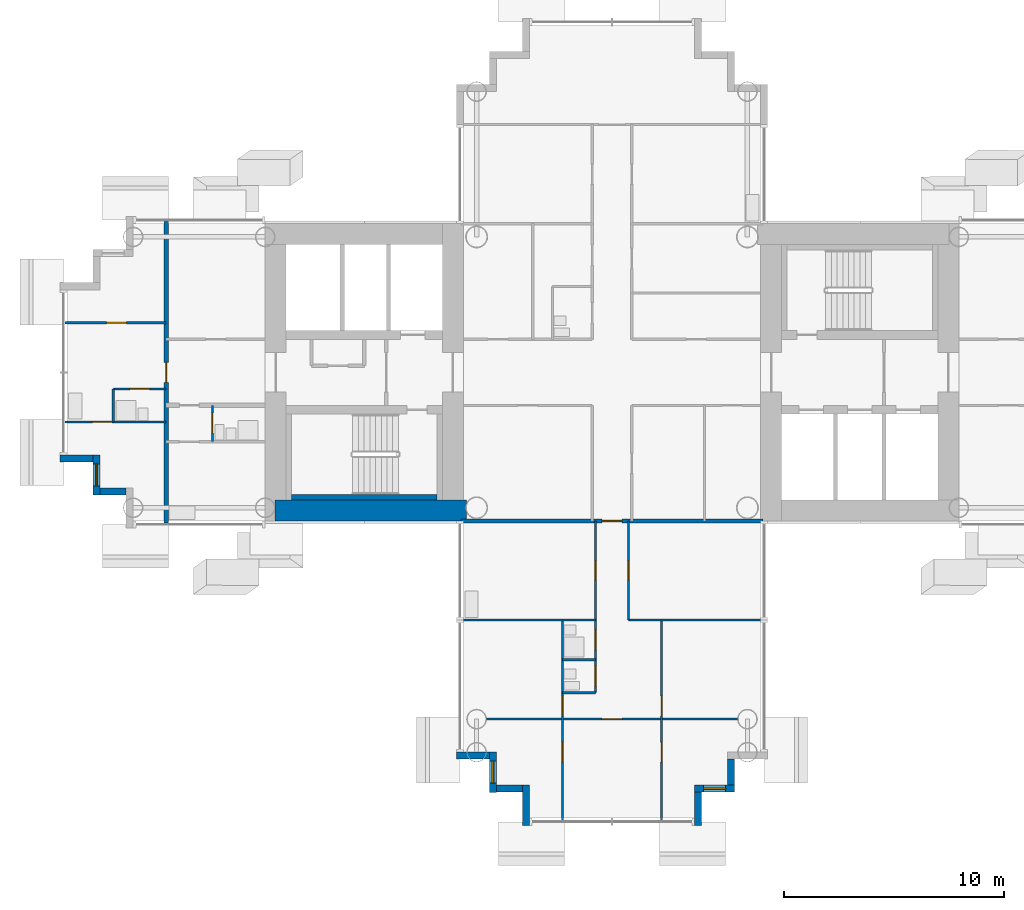
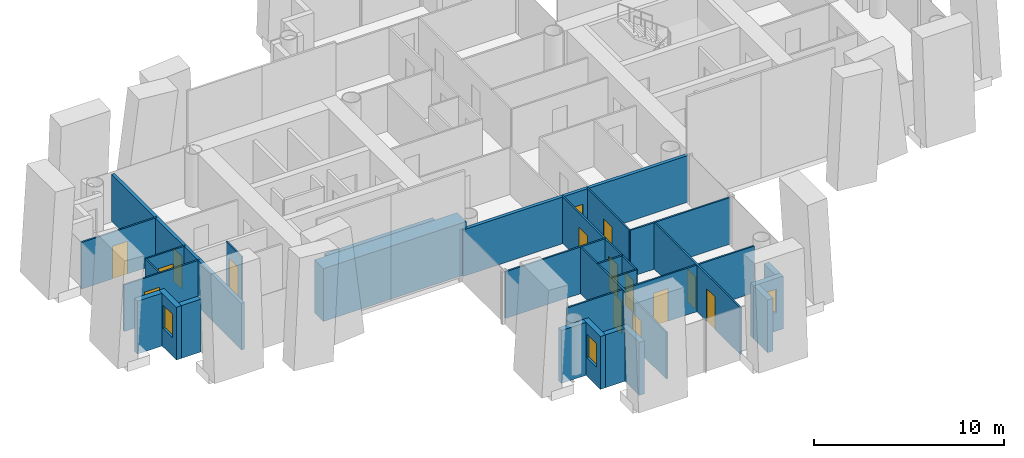
# One storey, part 8 of 21: 28 walls, 15 doors, 3 windows, 18 openings.
"""IFC4 building model written with IfcOpenShell, lengths in metres."""

from ifc_helpers import new_model, si_unit, direction, frame, frame_2d, origin, place, context, subcontext, project, spatial, rectangle, extrude, material, layer, layer_set, type_object, element, fill, save


model = new_model("IFC4")

# Units and contexts
model_context = context("Model", 3, precision=1e-05, world=origin(), true_north=direction((0.0, 1.0)))
body_context = subcontext(model_context, "Body", "Model", "MODEL_VIEW")
ifc_project = project(units=[si_unit("LENGTHUNIT", "METRE"), si_unit("AREAUNIT", "SQUARE_METRE"), si_unit("VOLUMEUNIT", "CUBIC_METRE"), si_unit("PLANEANGLEUNIT", "RADIAN"), si_unit("MASSUNIT", "GRAM", prefix="KILO")], contexts=[model_context])

# Site, building, storey
site_placement = place(None, origin())
site = spatial("IfcSite", under=ifc_project, at=site_placement, CompositionType="ELEMENT")
building_placement = place(site_placement, origin())
building = spatial("IfcBuilding", under=site, at=building_placement, Name="Ipe Terrace Towers", CompositionType="ELEMENT")
storey_placement = place(building_placement, frame((0.0, 0.0, 86.800048828125)))
storey = spatial("IfcBuildingStorey", under=building, at=storey_placement, Name="L23", CompositionType="ELEMENT", Elevation=86.800048828125)

# Wall
ifc_material_1 = material(Name="Concrete C40/50 with buff precast cladding", Category="concrete")
ifc_layer_1 = layer(ifc_material_1, 0.320068359375)
ifc_layer_set_1 = layer_set([ifc_layer_1], Name="BUFF CLADDING WALL 320")
wall_type_1 = type_object("IfcWallType", Name="BUFF CLADDING WALL 320", PredefinedType="STANDARD", material=ifc_layer_set_1)
wall_1_placement = place(storey_placement, frame((-61.070068359375, -3.909912109375, -0.300048828125), z_axis=(0.0, 0.0, 1.0), x_axis=(1.0, 0.0, 0.0)))
element("IfcWall", 1, at=wall_1_placement, inside=storey, type_object=wall_type_1, Name="T1-W-L23-00a wall", PredefinedType="STANDARD", context=body_context, shape_type="SweptSolid", body=[
    extrude(rectangle(XDim=1.5, YDim=0.320068359375, at=frame_2d((0.75, 0.0))), origin(), (0.0, 0.0, 1.0), 3.39990234375),
])

# Wall, opening, window
wall_2_placement = place(storey_placement, frame((-59.409912109375, -3.75, -0.300048828125), z_axis=(0.0, 0.0, 1.0), x_axis=(0.0, -1.0, 0.0)))
wall_2 = element("IfcWall", 2, at=wall_2_placement, inside=storey, type_object=wall_type_1, Name="T1-W-L23-01a wall", PredefinedType="STANDARD", context=body_context, shape_type="SweptSolid", body=[
    extrude(rectangle(XDim=1.820068359375, YDim=0.320068359375, at=frame_2d((0.91015625, 0.0))), origin(), (0.0, 0.0, 1.0), 3.39990234375),
])
opening_1_placement = place(wall_2_placement, frame((0.409912109375, 0.0, 1.199951171875)))
opening_1 = element("IfcOpeningElement", 3, at=opening_1_placement, cuts=wall_2, Name="Opening T1-W-05-L23-03", PredefinedType="OPENING", context=body_context, shape_type="SweptSolid", body=[
    extrude(rectangle(XDim=1.0, YDim=1.5, at=frame_2d((0.5, 0.75))), frame((0.0, 0.169921875, 0.0), z_axis=(0.0, -1.0, 0.0), x_axis=(1.0, 0.0, 0.0)), (0.0, 0.0, 1.0), 0.340087890625),
])
ifc_material_2 = material(Name="Glass, clear laminated", Category="glass")
window_type = type_object("IfcWindowType", Name="DWELLING WINDOW 1000 x 1500", PartitioningType="SINGLE_PANEL", PredefinedType="WINDOW", material=ifc_material_2)
window_1_placement = place(opening_1_placement, origin())
window_1 = element("IfcWindow", 4, at=window_1_placement, inside=storey, type_object=window_type, Name="W-05 window", OverallHeight=1.5, OverallWidth=1.0, PartitioningType="SINGLE_PANEL", PredefinedType="WINDOW", context=body_context, shape_type="SweptSolid", body=[
    extrude(rectangle(XDim=1.0, YDim=1.5, at=frame_2d((0.5, 0.75))), frame((0.0, 0.030029296875, 0.0), z_axis=(0.0, -1.0, 0.0), x_axis=(1.0, 0.0, 0.0)), (0.0, 0.0, 1.0), 0.06005859375),
])
fill(opening_1, window_1)

# Walls
wall_3_placement = place(storey_placement, frame((-59.25, -5.409912109375, -0.300048828125), z_axis=(0.0, 0.0, 1.0), x_axis=(1.0, 0.0, 0.0)))
element("IfcWall", 5, at=wall_3_placement, inside=storey, type_object=wall_type_1, Name="T1-W-L23-02a wall", PredefinedType="STANDARD", context=body_context, shape_type="SweptSolid", body=[
    extrude(rectangle(XDim=1.179931640625, YDim=0.320068359375, at=frame_2d((0.58984375, 0.0))), origin(), (0.0, 0.0, 1.0), 3.39990234375),
])
wall_4_placement = place(storey_placement, frame((-43.070068359375, -17.409912109375, -0.300048828125), z_axis=(0.0, 0.0, 1.0), x_axis=(1.0, 0.0, 0.0)))
element("IfcWall", 6, at=wall_4_placement, inside=storey, type_object=wall_type_1, Name="T1-W-L23-08a wall", PredefinedType="STANDARD", context=body_context, shape_type="SweptSolid", body=[
    extrude(rectangle(XDim=1.5, YDim=0.320068359375, at=frame_2d((0.75, 0.0))), origin(), (0.0, 0.0, 1.0), 3.39990234375),
])

# Wall, opening, window
wall_5_placement = place(storey_placement, frame((-41.409912109375, -17.25, -0.300048828125), z_axis=(0.0, 0.0, 1.0), x_axis=(0.0, -1.0, 0.0)))
wall_5 = element("IfcWall", 7, at=wall_5_placement, inside=storey, type_object=wall_type_1, Name="T1-W-L23-09a wall", PredefinedType="STANDARD", context=body_context, shape_type="SweptSolid", body=[
    extrude(rectangle(XDim=1.820068359375, YDim=0.320068359375, at=frame_2d((0.91015625, 0.0))), origin(), (0.0, 0.0, 1.0), 3.39990234375),
])
opening_2_placement = place(wall_5_placement, frame((0.409912109375, 0.0, 1.199951171875)))
opening_2 = element("IfcOpeningElement", 8, at=opening_2_placement, cuts=wall_5, Name="Opening T1-W-05-L23-02", PredefinedType="OPENING", context=body_context, shape_type="SweptSolid", body=[
    extrude(rectangle(XDim=1.0, YDim=1.5, at=frame_2d((0.5, 0.75))), frame((0.0, 0.169921875, 0.0), z_axis=(0.0, -1.0, 0.0), x_axis=(1.0, 0.0, 0.0)), (0.0, 0.0, 1.0), 0.340087890625),
])
window_2_placement = place(opening_2_placement, origin())
window_2 = element("IfcWindow", 9, at=window_2_placement, inside=storey, type_object=window_type, Name="W-05 window", OverallHeight=1.5, OverallWidth=1.0, PartitioningType="SINGLE_PANEL", PredefinedType="WINDOW", context=body_context, shape_type="SweptSolid", body=[
    extrude(rectangle(XDim=1.0, YDim=1.5, at=frame_2d((0.5, 0.75))), frame((0.0, 0.030029296875, 0.0), z_axis=(0.0, -1.0, 0.0), x_axis=(1.0, 0.0, 0.0)), (0.0, 0.0, 1.0), 0.06005859375),
])
fill(opening_2, window_2)

# Walls
wall_6_placement = place(storey_placement, frame((-41.25, -18.909912109375, -0.300048828125), z_axis=(0.0, 0.0, 1.0), x_axis=(1.0, 0.0, 0.0)))
element("IfcWall", 10, at=wall_6_placement, inside=storey, type_object=wall_type_1, Name="T1-W-L23-10a wall", PredefinedType="STANDARD", context=body_context, shape_type="SweptSolid", body=[
    extrude(rectangle(XDim=1.179931640625, YDim=0.320068359375, at=frame_2d((0.58984375, 0.0))), origin(), (0.0, 0.0, 1.0), 3.39990234375),
])
wall_7_placement = place(storey_placement, frame((-39.909912109375, -18.75, -0.300048828125), z_axis=(0.0, 0.0, 1.0), x_axis=(0.0, -1.0, 0.0)))
element("IfcWall", 11, at=wall_7_placement, inside=storey, type_object=wall_type_1, Name="T1-W-L23-11a wall", PredefinedType="STANDARD", context=body_context, shape_type="SweptSolid", body=[
    extrude(rectangle(XDim=1.820068359375, YDim=0.320068359375, at=frame_2d((0.91015625, 0.0))), origin(), (0.0, 0.0, 1.0), 3.39990234375),
])
wall_8_placement = place(storey_placement, frame((-32.090087890625, -20.570068359375, -0.300048828125), z_axis=(0.0, 0.0, 1.0), x_axis=(0.0, 1.0, 0.0)))
element("IfcWall", 12, at=wall_8_placement, inside=storey, type_object=wall_type_1, Name="T1-W-L23-13a wall", PredefinedType="STANDARD", context=body_context, shape_type="SweptSolid", body=[
    extrude(rectangle(XDim=1.5, YDim=0.320068359375, at=frame_2d((0.75, 0.0))), origin(), (0.0, 0.0, 1.0), 3.39990234375),
])

# Wall, opening, window
wall_9_placement = place(storey_placement, frame((-32.25, -18.909912109375, -0.300048828125), z_axis=(0.0, 0.0, 1.0), x_axis=(1.0, 0.0, 0.0)))
wall_9 = element("IfcWall", 13, at=wall_9_placement, inside=storey, type_object=wall_type_1, Name="T1-W-L23-14a wall", PredefinedType="STANDARD", context=body_context, shape_type="SweptSolid", body=[
    extrude(rectangle(XDim=1.820068359375, YDim=0.320068359375, at=frame_2d((0.91015625, 0.0))), origin(), (0.0, 0.0, 1.0), 3.39990234375),
])
opening_3_placement = place(wall_9_placement, frame((0.409912109375, 0.0, 1.199951171875)))
opening_3 = element("IfcOpeningElement", 14, at=opening_3_placement, cuts=wall_9, Name="Opening T1-W-05-L23-01", PredefinedType="OPENING", context=body_context, shape_type="SweptSolid", body=[
    extrude(rectangle(XDim=1.0, YDim=1.5, at=frame_2d((0.5, 0.75))), frame((0.0, 0.169921875, 0.0), z_axis=(0.0, -1.0, 0.0), x_axis=(1.0, 0.0, 0.0)), (0.0, 0.0, 1.0), 0.340087890625),
])
window_3_placement = place(opening_3_placement, origin())
window_3 = element("IfcWindow", 15, at=window_3_placement, inside=storey, type_object=window_type, Name="W-05 window", OverallHeight=1.5, OverallWidth=1.0, PartitioningType="SINGLE_PANEL", PredefinedType="WINDOW", context=body_context, shape_type="SweptSolid", body=[
    extrude(rectangle(XDim=1.0, YDim=1.5, at=frame_2d((0.5, 0.75))), frame((0.0, 0.030029296875, 0.0), z_axis=(0.0, -1.0, 0.0), x_axis=(1.0, 0.0, 0.0)), (0.0, 0.0, 1.0), 0.06005859375),
])
fill(opening_3, window_3)

# Walls
wall_10_placement = place(storey_placement, frame((-30.590087890625, -18.75, -0.300048828125), z_axis=(0.0, 0.0, 1.0), x_axis=(0.0, 1.0, 0.0)))
element("IfcWall", 16, at=wall_10_placement, inside=storey, type_object=wall_type_1, Name="T1-W-L23-15a wall", PredefinedType="STANDARD", context=body_context, shape_type="SweptSolid", body=[
    extrude(rectangle(XDim=1.179931640625, YDim=0.320068359375, at=frame_2d((0.58984375, 0.0))), origin(), (0.0, 0.0, 1.0), 3.39990234375),
])
ifc_material_3 = material(Name="Gypsum board partition", Category="plasterboard")
ifc_layer_2 = layer(ifc_material_3, 0.10009765625)
ifc_layer_set_2 = layer_set([ifc_layer_2], Name="Gypsum board partition 100 mm")
wall_type_2 = type_object("IfcWallType", Name="Gypsum board partition 100 mm", PredefinedType="PARTITIONING", material=ifc_layer_set_2)
wall_11_placement = place(storey_placement, frame((-58.64990234375, -2.25, 0.0), z_axis=(0.0, 0.0, 1.0), x_axis=(0.0, 1.0, 0.0)))
element("IfcWall", 17, at=wall_11_placement, inside=storey, type_object=wall_type_2, Name="Gypsum board partition T1 L23 W01", PredefinedType="PARTITIONING", context=body_context, shape_type="SweptSolid", body=[
    extrude(rectangle(XDim=1.5, YDim=0.10009765625, at=frame_2d((0.75, 0.0))), origin(), (0.0, 0.0, 1.0), 3.0),
])

# Wall, opening, door
wall_12_placement = place(storey_placement, frame((-54.14990234375, -3.14990234375, 0.0), z_axis=(0.0, 0.0, 1.0), x_axis=(0.0, 1.0, 0.0)))
wall_12 = element("IfcWall", 18, at=wall_12_placement, inside=storey, type_object=wall_type_2, Name="Gypsum board partition T1 L23 W03", PredefinedType="PARTITIONING", context=body_context, shape_type="SweptSolid", body=[
    extrude(rectangle(XDim=1.64990234375, YDim=0.10009765625, at=frame_2d((0.824951171875, 0.0))), origin(), (0.0, 0.0, 1.0), 3.0),
])
opening_4_placement = place(wall_12_placement, frame((0.39990234375, 0.0, 0.0)))
opening_4 = element("IfcOpeningElement", 19, at=opening_4_placement, cuts=wall_12, Name="Opening T1-Z2C-27", PredefinedType="OPENING", context=body_context, shape_type="SweptSolid", body=[
    extrude(rectangle(XDim=0.89990234375, YDim=2.10009765625, at=frame_2d((0.449951171875, 1.050048828125))), frame((0.0, 0.06005859375, 0.0), z_axis=(0.0, -1.0, 0.0), x_axis=(1.0, 0.0, 0.0)), (0.0, 0.0, 1.0), 0.1201171875),
])
ifc_material_4 = material(Name="Timber door leaf", Category="wood")
door_type_1 = type_object("IfcDoorType", Name="Bathroom door 900 x 2100", OperationType="NOTDEFINED", PredefinedType="DOOR", material=ifc_material_4)
door_1_placement = place(opening_4_placement, origin())
door_1 = element("IfcDoor", 20, at=door_1_placement, inside=storey, type_object=door_type_1, Name="Bathroom door T1-Z2C-27", OperationType="SINGLE_SWING_RIGHT", OverallHeight=2.10009765625, OverallWidth=0.89990234375, PredefinedType="DOOR", context=body_context, shape_type="SweptSolid", body=[
    extrude(rectangle(XDim=0.89990234375, YDim=2.10009765625, at=frame_2d((0.449951171875, 1.050048828125))), frame((0.0, 0.02490234375, 0.0), z_axis=(0.0, -1.0, 0.0), x_axis=(1.0, 0.0, 0.0)), (0.0, 0.0, 1.0), 0.050048828125),
])
fill(opening_4, door_1)

# Wall, openings, doors
wall_13_placement = place(storey_placement, frame((-38.25, -20.35009765625, 0.0), z_axis=(0.0, 0.0, 1.0), x_axis=(0.0, 1.0, 0.0)))
wall_13 = element("IfcWall", 21, at=wall_13_placement, inside=storey, type_object=wall_type_2, Name="Gypsum board partition T1 L23 W06", PredefinedType="PARTITIONING", context=body_context, shape_type="SweptSolid", body=[
    extrude(rectangle(XDim=9.10009765625, YDim=0.10009765625, at=frame_2d((4.550048828125, 0.0))), origin(), (0.0, 0.0, 1.0), 3.0),
])
opening_5_placement = place(wall_13_placement, frame((4.75, 0.0, 0.0)))
opening_5 = element("IfcOpeningElement", 22, at=opening_5_placement, cuts=wall_13, Name="Opening T1-Z2C-18", PredefinedType="OPENING", context=body_context, shape_type="SweptSolid", body=[
    extrude(rectangle(XDim=0.89990234375, YDim=2.10009765625, at=frame_2d((0.449951171875, 1.050048828125))), frame((0.0, 0.06005859375, 0.0), z_axis=(0.0, -1.0, 0.0), x_axis=(1.0, 0.0, 0.0)), (0.0, 0.0, 1.0), 0.1201171875),
])
opening_6_placement = place(wall_13_placement, frame((2.64990234375, 0.0, 0.0)))
opening_6 = element("IfcOpeningElement", 23, at=opening_6_placement, cuts=wall_13, Name="Opening T1-Z2C-21", PredefinedType="OPENING", context=body_context, shape_type="SweptSolid", body=[
    extrude(rectangle(XDim=0.89990234375, YDim=2.10009765625, at=frame_2d((0.449951171875, 1.050048828125))), frame((0.0, 0.06005859375, 0.0), z_axis=(0.0, -1.0, 0.0), x_axis=(1.0, 0.0, 0.0)), (0.0, 0.0, 1.0), 0.1201171875),
])
ifc_material_5 = material(Name="Timber door leaf", Category="wood")
door_type_2 = type_object("IfcDoorType", Name="Bedroom door 900 x 2100", OperationType="NOTDEFINED", PredefinedType="DOOR", material=ifc_material_5)
door_2_placement = place(opening_5_placement, origin())
door_2 = element("IfcDoor", 24, at=door_2_placement, inside=storey, type_object=door_type_2, Name="Bedroom door T1-Z2C-18", OperationType="SINGLE_SWING_LEFT", OverallHeight=2.10009765625, OverallWidth=0.89990234375, PredefinedType="DOOR", context=body_context, shape_type="SweptSolid", body=[
    extrude(rectangle(XDim=0.89990234375, YDim=2.10009765625, at=frame_2d((0.449951171875, 1.050048828125))), frame((0.0, 0.02490234375, 0.0), z_axis=(0.0, -1.0, 0.0), x_axis=(1.0, 0.0, 0.0)), (0.0, 0.0, 1.0), 0.050048828125),
])
fill(opening_5, door_2)
door_3_placement = place(opening_6_placement, origin())
door_3 = element("IfcDoor", 25, at=door_3_placement, inside=storey, type_object=door_type_2, Name="Bedroom door T1-Z2C-21", OperationType="SINGLE_SWING_RIGHT", OverallHeight=2.10009765625, OverallWidth=0.89990234375, PredefinedType="DOOR", context=body_context, shape_type="SweptSolid", body=[
    extrude(rectangle(XDim=0.89990234375, YDim=2.10009765625, at=frame_2d((0.449951171875, 1.050048828125))), frame((0.0, 0.02490234375, 0.0), z_axis=(0.0, -1.0, 0.0), x_axis=(1.0, 0.0, 0.0)), (0.0, 0.0, 1.0), 0.050048828125),
])
fill(opening_6, door_3)

wall_14_placement = place(storey_placement, frame((-36.75, -14.550048828125, 0.0), z_axis=(0.0, 0.0, 1.0), x_axis=(0.0, 1.0, 0.0)))
wall_14 = element("IfcWall", 26, at=wall_14_placement, inside=storey, type_object=wall_type_2, Name="Gypsum board partition T1 L23 W09", PredefinedType="PARTITIONING", context=body_context, shape_type="SweptSolid", body=[
    extrude(rectangle(XDim=7.800048828125, YDim=0.10009765625, at=frame_2d((3.89990234375, 0.0))), origin(), (0.0, 0.0, 1.0), 3.0),
])
opening_7_placement = place(wall_14_placement, frame((5.10009765625, 0.0, 0.0)))
opening_7 = element("IfcOpeningElement", 27, at=opening_7_placement, cuts=wall_14, Name="Opening T1-Z2C-13", PredefinedType="OPENING", context=body_context, shape_type="SweptSolid", body=[
    extrude(rectangle(XDim=0.89990234375, YDim=2.10009765625, at=frame_2d((0.449951171875, 1.050048828125))), frame((0.0, 0.06005859375, 0.0), z_axis=(0.0, -1.0, 0.0), x_axis=(1.0, 0.0, 0.0)), (0.0, 0.0, 1.0), 0.1201171875),
])
opening_8_placement = place(wall_14_placement, frame((1.949951171875, 0.0, 0.0)))
opening_8 = element("IfcOpeningElement", 28, at=opening_8_placement, cuts=wall_14, Name="Opening T1-Z2C-15", PredefinedType="OPENING", context=body_context, shape_type="SweptSolid", body=[
    extrude(rectangle(XDim=0.89990234375, YDim=2.10009765625, at=frame_2d((0.449951171875, 1.050048828125))), frame((0.0, 0.06005859375, 0.0), z_axis=(0.0, -1.0, 0.0), x_axis=(1.0, 0.0, 0.0)), (0.0, 0.0, 1.0), 0.1201171875),
])
opening_9_placement = place(wall_14_placement, frame((0.300048828125, 0.0, 0.0)))
opening_9 = element("IfcOpeningElement", 29, at=opening_9_placement, cuts=wall_14, Name="Opening T1-Z2C-16", PredefinedType="OPENING", context=body_context, shape_type="SweptSolid", body=[
    extrude(rectangle(XDim=0.89990234375, YDim=2.10009765625, at=frame_2d((0.449951171875, 1.050048828125))), frame((0.0, 0.06005859375, 0.0), z_axis=(0.0, -1.0, 0.0), x_axis=(1.0, 0.0, 0.0)), (0.0, 0.0, 1.0), 0.1201171875),
])
door_4_placement = place(opening_8_placement, origin())
door_4 = element("IfcDoor", 30, at=door_4_placement, inside=storey, type_object=door_type_1, Name="Bathroom door T1-Z2C-15", OperationType="SINGLE_SWING_RIGHT", OverallHeight=2.10009765625, OverallWidth=0.89990234375, PredefinedType="DOOR", context=body_context, shape_type="SweptSolid", body=[
    extrude(rectangle(XDim=0.89990234375, YDim=2.10009765625, at=frame_2d((0.449951171875, 1.050048828125))), frame((0.0, 0.02490234375, 0.0), z_axis=(0.0, -1.0, 0.0), x_axis=(1.0, 0.0, 0.0)), (0.0, 0.0, 1.0), 0.050048828125),
])
fill(opening_8, door_4)
door_5_placement = place(opening_9_placement, origin())
door_5 = element("IfcDoor", 31, at=door_5_placement, inside=storey, type_object=door_type_1, Name="Bathroom door T1-Z2C-16", OperationType="SINGLE_SWING_RIGHT", OverallHeight=2.10009765625, OverallWidth=0.89990234375, PredefinedType="DOOR", context=body_context, shape_type="SweptSolid", body=[
    extrude(rectangle(XDim=0.89990234375, YDim=2.10009765625, at=frame_2d((0.449951171875, 1.050048828125))), frame((0.0, 0.02490234375, 0.0), z_axis=(0.0, -1.0, 0.0), x_axis=(1.0, 0.0, 0.0)), (0.0, 0.0, 1.0), 0.050048828125),
])
fill(opening_9, door_5)
ifc_material_6 = material(Name="Timber door leaf", Category="wood")
door_type_3 = type_object("IfcDoorType", Name="Lounge door 900 x 2100", OperationType="NOTDEFINED", PredefinedType="DOOR", material=ifc_material_6)
door_6_placement = place(opening_7_placement, origin())
door_6 = element("IfcDoor", 32, at=door_6_placement, inside=storey, type_object=door_type_3, Name="Lounge door T1-Z2C-13", OperationType="SINGLE_SWING_LEFT", OverallHeight=2.10009765625, OverallWidth=0.89990234375, PredefinedType="DOOR", context=body_context, shape_type="SweptSolid", body=[
    extrude(rectangle(XDim=0.89990234375, YDim=2.10009765625, at=frame_2d((0.449951171875, 1.050048828125))), frame((0.0, 0.02490234375, 0.0), z_axis=(0.0, -1.0, 0.0), x_axis=(1.0, 0.0, 0.0)), (0.0, 0.0, 1.0), 0.050048828125),
])
fill(opening_7, door_6)

# Wall, opening, door
wall_15_placement = place(storey_placement, frame((-35.25, -11.25, 0.0), z_axis=(0.0, 0.0, 1.0), x_axis=(0.0, 1.0, 0.0)))
wall_15 = element("IfcWall", 33, at=wall_15_placement, inside=storey, type_object=wall_type_2, Name="Gypsum board partition T1 L23 W10", PredefinedType="PARTITIONING", context=body_context, shape_type="SweptSolid", body=[
    extrude(rectangle(XDim=4.5, YDim=0.10009765625, at=frame_2d((2.25, 0.0))), origin(), (0.0, 0.0, 1.0), 3.0),
])
opening_10_placement = place(wall_15_placement, frame((1.800048828125, 0.0, 0.0)))
opening_10 = element("IfcOpeningElement", 34, at=opening_10_placement, cuts=wall_15, Name="Opening T1-Z2C-12", PredefinedType="OPENING", context=body_context, shape_type="SweptSolid", body=[
    extrude(rectangle(XDim=0.89990234375, YDim=2.10009765625, at=frame_2d((0.449951171875, 1.050048828125))), frame((0.0, 0.06005859375, 0.0), z_axis=(0.0, -1.0, 0.0), x_axis=(1.0, 0.0, 0.0)), (0.0, 0.0, 1.0), 0.1201171875),
])
door_7_placement = place(opening_10_placement, origin())
door_7 = element("IfcDoor", 35, at=door_7_placement, inside=storey, type_object=door_type_3, Name="Lounge door T1-Z2C-12", OperationType="SINGLE_SWING_RIGHT", OverallHeight=2.10009765625, OverallWidth=0.89990234375, PredefinedType="DOOR", context=body_context, shape_type="SweptSolid", body=[
    extrude(rectangle(XDim=0.89990234375, YDim=2.10009765625, at=frame_2d((0.449951171875, 1.050048828125))), frame((0.0, 0.02490234375, 0.0), z_axis=(0.0, -1.0, 0.0), x_axis=(1.0, 0.0, 0.0)), (0.0, 0.0, 1.0), 0.050048828125),
])
fill(opening_10, door_7)

# Wall, openings, doors
wall_16_placement = place(storey_placement, frame((-33.75, -20.35009765625, 0.0), z_axis=(0.0, 0.0, 1.0), x_axis=(0.0, 1.0, 0.0)))
wall_16 = element("IfcWall", 36, at=wall_16_placement, inside=storey, type_object=wall_type_2, Name="Gypsum board partition T1 L23 W13", PredefinedType="PARTITIONING", context=body_context, shape_type="SweptSolid", body=[
    extrude(rectangle(XDim=9.10009765625, YDim=0.10009765625, at=frame_2d((4.550048828125, 0.0))), origin(), (0.0, 0.0, 1.0), 3.0),
])
opening_11_placement = place(wall_16_placement, frame((4.75, 0.0, 0.0)))
opening_11 = element("IfcOpeningElement", 37, at=opening_11_placement, cuts=wall_16, Name="Opening T1-Z2C-17", PredefinedType="OPENING", context=body_context, shape_type="SweptSolid", body=[
    extrude(rectangle(XDim=0.89990234375, YDim=2.10009765625, at=frame_2d((0.449951171875, 1.050048828125))), frame((0.0, 0.06005859375, 0.0), z_axis=(0.0, -1.0, 0.0), x_axis=(1.0, 0.0, 0.0)), (0.0, 0.0, 1.0), 0.1201171875),
])
opening_12_placement = place(wall_16_placement, frame((2.64990234375, 0.0, 0.0)))
opening_12 = element("IfcOpeningElement", 38, at=opening_12_placement, cuts=wall_16, Name="Opening T1-Z2C-20", PredefinedType="OPENING", context=body_context, shape_type="SweptSolid", body=[
    extrude(rectangle(XDim=0.89990234375, YDim=2.10009765625, at=frame_2d((0.449951171875, 1.050048828125))), frame((0.0, 0.06005859375, 0.0), z_axis=(0.0, -1.0, 0.0), x_axis=(1.0, 0.0, 0.0)), (0.0, 0.0, 1.0), 0.1201171875),
])
door_8_placement = place(opening_11_placement, origin())
door_8 = element("IfcDoor", 39, at=door_8_placement, inside=storey, type_object=door_type_2, Name="Bedroom door T1-Z2C-17", OperationType="SINGLE_SWING_RIGHT", OverallHeight=2.10009765625, OverallWidth=0.89990234375, PredefinedType="DOOR", context=body_context, shape_type="SweptSolid", body=[
    extrude(rectangle(XDim=0.89990234375, YDim=2.10009765625, at=frame_2d((0.449951171875, 1.050048828125))), frame((0.0, 0.02490234375, 0.0), z_axis=(0.0, -1.0, 0.0), x_axis=(1.0, 0.0, 0.0)), (0.0, 0.0, 1.0), 0.050048828125),
])
fill(opening_11, door_8)
door_9_placement = place(opening_12_placement, origin())
door_9 = element("IfcDoor", 40, at=door_9_placement, inside=storey, type_object=door_type_2, Name="Bedroom door T1-Z2C-20", OperationType="SINGLE_SWING_LEFT", OverallHeight=2.10009765625, OverallWidth=0.89990234375, PredefinedType="DOOR", context=body_context, shape_type="SweptSolid", body=[
    extrude(rectangle(XDim=0.89990234375, YDim=2.10009765625, at=frame_2d((0.449951171875, 1.050048828125))), frame((0.0, 0.02490234375, 0.0), z_axis=(0.0, -1.0, 0.0), x_axis=(1.0, 0.0, 0.0)), (0.0, 0.0, 1.0), 0.050048828125),
])
fill(opening_12, door_9)

# Wall, opening, door
wall_17_placement = place(storey_placement, frame((-41.699951171875, -15.75, 0.0), z_axis=(0.0, 0.0, 1.0), x_axis=(1.0, 0.0, 0.0)))
wall_17 = element("IfcWall", 41, at=wall_17_placement, inside=storey, type_object=wall_type_2, Name="Gypsum board partition T1 L23 W16", PredefinedType="PARTITIONING", context=body_context, shape_type="SweptSolid", body=[
    extrude(rectangle(XDim=11.39990234375, YDim=0.10009765625, at=frame_2d((5.699951171875, 0.0))), origin(), (0.0, 0.0, 1.0), 3.0),
])
opening_13_placement = place(wall_17_placement, frame((5.25, 0.0, 0.0)))
opening_13 = element("IfcOpeningElement", 42, at=opening_13_placement, cuts=wall_17, Name="Opening T1-Z2C-19", PredefinedType="OPENING", context=body_context, shape_type="SweptSolid", body=[
    extrude(rectangle(XDim=0.89990234375, YDim=2.10009765625, at=frame_2d((0.449951171875, 1.050048828125))), frame((0.0, 0.06005859375, 0.0), z_axis=(0.0, -1.0, 0.0), x_axis=(1.0, 0.0, 0.0)), (0.0, 0.0, 1.0), 0.1201171875),
])
door_10_placement = place(opening_13_placement, origin())
door_10 = element("IfcDoor", 43, at=door_10_placement, inside=storey, type_object=door_type_3, Name="Lounge door T1-Z2C-19", OperationType="SINGLE_SWING_RIGHT", OverallHeight=2.10009765625, OverallWidth=0.89990234375, PredefinedType="DOOR", context=body_context, shape_type="SweptSolid", body=[
    extrude(rectangle(XDim=0.89990234375, YDim=2.10009765625, at=frame_2d((0.449951171875, 1.050048828125))), frame((0.0, 0.02490234375, 0.0), z_axis=(0.0, -1.0, 0.0), x_axis=(1.0, 0.0, 0.0)), (0.0, 0.0, 1.0), 0.050048828125),
])
fill(opening_13, door_10)

# Walls
for number, where, z_axis, x_axis, name in (
    (44, (-38.25, -14.550048828125, 0.0), (0.0, 0.0, 1.0), (1.0, 0.0, 0.0), "Gypsum board partition T1 L23 W17"),
    (45, (-38.25, -13.050048828125, 0.0), (0.0, 0.0, 1.0), (1.0, 0.0, 0.0), "Gypsum board partition T1 L23 W18"),
):
    element("IfcWall", number, at=place(storey_placement, frame(where, z_axis=z_axis, x_axis=x_axis)), inside=storey, type_object=wall_type_2, Name=name, PredefinedType="PARTITIONING", context=body_context, shape_type="SweptSolid", body=[
        extrude(rectangle(XDim=1.5, YDim=0.10009765625, at=frame_2d((0.75, 0.0))), origin(), (0.0, 0.0, 1.0), 3.0),
    ])
for number, where, z_axis, x_axis, name in (
    (46, (-42.85009765625, -11.25, 0.0), (0.0, 0.0, 1.0), (1.0, 0.0, 0.0), "Gypsum board partition T1 L23 W19"),
    (47, (-35.25, -11.25, 0.0), (0.0, 0.0, 1.0), (1.0, 0.0, 0.0), "Gypsum board partition T1 L23 W20"),
):
    element("IfcWall", number, at=place(storey_placement, frame(where, z_axis=z_axis, x_axis=x_axis)), inside=storey, type_object=wall_type_2, Name=name, PredefinedType="PARTITIONING", context=body_context, shape_type="SweptSolid", body=[
        extrude(rectangle(XDim=6.10009765625, YDim=0.10009765625, at=frame_2d((3.050048828125, 0.0))), origin(), (0.0, 0.0, 1.0), 3.0),
    ])

# Wall, opening, door
wall_18_placement = place(storey_placement, frame((-60.85009765625, -2.25, 0.0), z_axis=(0.0, 0.0, 1.0), x_axis=(1.0, 0.0, 0.0)))
wall_18 = element("IfcWall", 48, at=wall_18_placement, inside=storey, type_object=wall_type_2, Name="Gypsum board partition T1 L23 W23", PredefinedType="PARTITIONING", context=body_context, shape_type="SweptSolid", body=[
    extrude(rectangle(XDim=4.60009765625, YDim=0.10009765625, at=frame_2d((2.300048828125, 0.0))), origin(), (0.0, 0.0, 1.0), 3.0),
])
opening_14_placement = place(wall_18_placement, frame((1.25, 0.0, 0.0)))
opening_14 = element("IfcOpeningElement", 49, at=opening_14_placement, cuts=wall_18, Name="Opening T1-Z2C-31", PredefinedType="OPENING", context=body_context, shape_type="SweptSolid", body=[
    extrude(rectangle(XDim=0.89990234375, YDim=2.10009765625, at=frame_2d((0.449951171875, 1.050048828125))), frame((0.0, 0.06005859375, 0.0), z_axis=(0.0, -1.0, 0.0), x_axis=(1.0, 0.0, 0.0)), (0.0, 0.0, 1.0), 0.1201171875),
])
door_11_placement = place(opening_14_placement, origin())
door_11 = element("IfcDoor", 50, at=door_11_placement, inside=storey, type_object=door_type_2, Name="Bedroom door T1-Z2C-31", OperationType="SINGLE_SWING_LEFT", OverallHeight=2.10009765625, OverallWidth=0.89990234375, PredefinedType="DOOR", context=body_context, shape_type="SweptSolid", body=[
    extrude(rectangle(XDim=0.89990234375, YDim=2.10009765625, at=frame_2d((0.449951171875, 1.050048828125))), frame((0.0, 0.02490234375, 0.0), z_axis=(0.0, -1.0, 0.0), x_axis=(1.0, 0.0, 0.0)), (0.0, 0.0, 1.0), 0.050048828125),
])
fill(opening_14, door_11)

wall_19_placement = place(storey_placement, frame((-58.64990234375, -0.75, 0.0), z_axis=(0.0, 0.0, 1.0), x_axis=(1.0, 0.0, 0.0)))
wall_19 = element("IfcWall", 51, at=wall_19_placement, inside=storey, type_object=wall_type_2, Name="Gypsum board partition T1 L23 W28", PredefinedType="PARTITIONING", context=body_context, shape_type="SweptSolid", body=[
    extrude(rectangle(XDim=2.39990234375, YDim=0.10009765625, at=frame_2d((1.199951171875, 0.0))), origin(), (0.0, 0.0, 1.0), 3.0),
])
opening_15_placement = place(wall_19_placement, frame((0.75, 0.0, 0.0)))
opening_15 = element("IfcOpeningElement", 52, at=opening_15_placement, cuts=wall_19, Name="Opening T1-Z2C-29", PredefinedType="OPENING", context=body_context, shape_type="SweptSolid", body=[
    extrude(rectangle(XDim=0.89990234375, YDim=2.10009765625, at=frame_2d((0.449951171875, 1.050048828125))), frame((0.0, 0.06005859375, 0.0), z_axis=(0.0, -1.0, 0.0), x_axis=(1.0, 0.0, 0.0)), (0.0, 0.0, 1.0), 0.1201171875),
])
door_12_placement = place(opening_15_placement, origin())
door_12 = element("IfcDoor", 53, at=door_12_placement, inside=storey, type_object=door_type_1, Name="Bathroom door T1-Z2C-29", OperationType="SINGLE_SWING_RIGHT", OverallHeight=2.10009765625, OverallWidth=0.89990234375, PredefinedType="DOOR", context=body_context, shape_type="SweptSolid", body=[
    extrude(rectangle(XDim=0.89990234375, YDim=2.10009765625, at=frame_2d((0.449951171875, 1.050048828125))), frame((0.0, 0.02490234375, 0.0), z_axis=(0.0, -1.0, 0.0), x_axis=(1.0, 0.0, 0.0)), (0.0, 0.0, 1.0), 0.050048828125),
])
fill(opening_15, door_12)

wall_20_placement = place(storey_placement, frame((-60.85009765625, 2.25, 0.0), z_axis=(0.0, 0.0, 1.0), x_axis=(1.0, 0.0, 0.0)))
wall_20 = element("IfcWall", 54, at=wall_20_placement, inside=storey, type_object=wall_type_2, Name="Gypsum board partition T1 L23 W33", PredefinedType="PARTITIONING", context=body_context, shape_type="SweptSolid", body=[
    extrude(rectangle(XDim=4.60009765625, YDim=0.10009765625, at=frame_2d((2.300048828125, 0.0))), origin(), (0.0, 0.0, 1.0), 3.0),
])
opening_16_placement = place(wall_20_placement, frame((1.89990234375, 0.0, 0.0)))
opening_16 = element("IfcOpeningElement", 55, at=opening_16_placement, cuts=wall_20, Name="Opening T1-Z2C-32", PredefinedType="OPENING", context=body_context, shape_type="SweptSolid", body=[
    extrude(rectangle(XDim=0.89990234375, YDim=2.10009765625, at=frame_2d((0.449951171875, 1.050048828125))), frame((0.0, 0.06005859375, 0.0), z_axis=(0.0, -1.0, 0.0), x_axis=(1.0, 0.0, 0.0)), (0.0, 0.0, 1.0), 0.1201171875),
])
door_13_placement = place(opening_16_placement, origin())
door_13 = element("IfcDoor", 56, at=door_13_placement, inside=storey, type_object=door_type_2, Name="Bedroom door T1-Z2C-32", OperationType="SINGLE_SWING_LEFT", OverallHeight=2.10009765625, OverallWidth=0.89990234375, PredefinedType="DOOR", context=body_context, shape_type="SweptSolid", body=[
    extrude(rectangle(XDim=0.89990234375, YDim=2.10009765625, at=frame_2d((0.449951171875, 1.050048828125))), frame((0.0, 0.02490234375, 0.0), z_axis=(0.0, -1.0, 0.0), x_axis=(1.0, 0.0, 0.0)), (0.0, 0.0, 1.0), 0.050048828125),
])
fill(opening_16, door_13)

ifc_material_7 = material(Name="Gypsum board party wall", Category="plasterboard")
ifc_layer_3 = layer(ifc_material_7, 0.199951171875)
ifc_layer_set_3 = layer_set([ifc_layer_3], Name="Gypsum board party wall 200 mm")
wall_type_3 = type_object("IfcWallType", Name="Gypsum board party wall 200 mm", PredefinedType="SOLIDWALL", material=ifc_layer_set_3)
wall_21_placement = place(storey_placement, frame((-56.25, -6.85009765625, 0.0), z_axis=(0.0, 0.0, 1.0), x_axis=(0.0, 1.0, 0.0)))
wall_21 = element("IfcWall", 57, at=wall_21_placement, inside=storey, type_object=wall_type_3, Name="Gypsum board party wall T1 L23 W02", PredefinedType="SOLIDWALL", context=body_context, shape_type="SweptSolid", body=[
    extrude(rectangle(XDim=13.7001953125, YDim=0.199951171875, at=frame_2d((6.85009765625, 0.0))), origin(), (0.0, 0.0, 1.0), 3.0),
])
opening_17_placement = place(wall_21_placement, frame((6.39990234375, 0.0, 0.0)))
opening_17 = element("IfcOpeningElement", 58, at=opening_17_placement, cuts=wall_21, Name="Opening T1-Z2C-30", PredefinedType="OPENING", context=body_context, shape_type="SweptSolid", body=[
    extrude(rectangle(XDim=0.89990234375, YDim=2.10009765625, at=frame_2d((0.449951171875, 1.050048828125))), frame((0.0, 0.10986328125, 0.0), z_axis=(0.0, -1.0, 0.0), x_axis=(1.0, 0.0, 0.0)), (0.0, 0.0, 1.0), 0.219970703125),
])
ifc_material_8 = material(Name="Fire-rated timber door leaf", Category="wood")
door_type_4 = type_object("IfcDoorType", Name="Flat entrance door 900 x 2100 FD30S", OperationType="NOTDEFINED", PredefinedType="DOOR", material=ifc_material_8)
door_14_placement = place(opening_17_placement, origin())
door_14 = element("IfcDoor", 59, at=door_14_placement, inside=storey, type_object=door_type_4, Name="Flat entrance door T1-Z2C-30", OperationType="SINGLE_SWING_LEFT", OverallHeight=2.10009765625, OverallWidth=0.89990234375, PredefinedType="DOOR", context=body_context, shape_type="SweptSolid", body=[
    extrude(rectangle(XDim=0.89990234375, YDim=2.10009765625, at=frame_2d((0.449951171875, 1.050048828125))), frame((0.0, 0.02490234375, 0.0), z_axis=(0.0, -1.0, 0.0), x_axis=(1.0, 0.0, 0.0)), (0.0, 0.0, 1.0), 0.050048828125),
])
fill(opening_17, door_14)

wall_22_placement = place(storey_placement, frame((-42.85009765625, -6.75, 0.0), z_axis=(0.0, 0.0, 1.0), x_axis=(1.0, 0.0, 0.0)))
wall_22 = element("IfcWall", 60, at=wall_22_placement, inside=storey, type_object=wall_type_3, Name="Gypsum board party wall T1 L23 W21", PredefinedType="SOLIDWALL", context=body_context, shape_type="SweptSolid", body=[
    extrude(rectangle(XDim=13.7001953125, YDim=0.199951171875, at=frame_2d((6.85009765625, 0.0))), origin(), (0.0, 0.0, 1.0), 3.0),
])
opening_18_placement = place(wall_22_placement, frame((6.39990234375, 0.0, 0.0)))
opening_18 = element("IfcOpeningElement", 61, at=opening_18_placement, cuts=wall_22, Name="Opening T1-Z2C-14", PredefinedType="OPENING", context=body_context, shape_type="SweptSolid", body=[
    extrude(rectangle(XDim=0.89990234375, YDim=2.10009765625, at=frame_2d((0.449951171875, 1.050048828125))), frame((0.0, 0.10986328125, 0.0), z_axis=(0.0, -1.0, 0.0), x_axis=(1.0, 0.0, 0.0)), (0.0, 0.0, 1.0), 0.219970703125),
])
door_15_placement = place(opening_18_placement, origin())
door_15 = element("IfcDoor", 62, at=door_15_placement, inside=storey, type_object=door_type_4, Name="Flat entrance door T1-Z2C-14", OperationType="SINGLE_SWING_RIGHT", OverallHeight=2.10009765625, OverallWidth=0.89990234375, PredefinedType="DOOR", context=body_context, shape_type="SweptSolid", body=[
    extrude(rectangle(XDim=0.89990234375, YDim=2.10009765625, at=frame_2d((0.449951171875, 1.050048828125))), frame((0.0, 0.02490234375, 0.0), z_axis=(0.0, -1.0, 0.0), x_axis=(1.0, 0.0, 0.0)), (0.0, 0.0, 1.0), 0.050048828125),
])
fill(opening_18, door_15)

# Walls
ifc_material_9 = material(Name="Concrete C50/60", Category="concrete")
ifc_layer_4 = layer(ifc_material_9, 0.25)
ifc_layer_set_4 = layer_set([ifc_layer_4], Name="RW250 CORE INFILL WALL 250 C50-60")
wall_type_4 = type_object("IfcWallType", Name="RW250 CORE INFILL WALL 250 C50-60", PredefinedType="SHEAR", material=ifc_layer_set_4)
wall_23_placement = place(storey_placement, frame((-43.949951171875, -5.675048828125, 0.0), z_axis=(0.0, 0.0, 1.0), x_axis=(-1.0, 0.0, 0.0)))
element("IfcWall", 63, at=wall_23_placement, inside=storey, type_object=wall_type_4, Name="Core infill wall T1-C2-back", PredefinedType="SHEAR", context=body_context, shape_type="SweptSolid", body=[
    extrude(rectangle(XDim=6.60009765625, YDim=0.25, at=frame_2d((3.300048828125, 0.0))), origin(), (0.0, 0.0, 1.0), 3.39990234375),
])
ifc_material_10 = material(Name="Concrete C50/60", Category="concrete")
ifc_layer_5 = layer(ifc_material_10, 0.949951171875)
ifc_layer_set_5 = layer_set([ifc_layer_5], Name="RW950 CORE WALL 950 C50-60")
wall_type_5 = type_object("IfcWallType", Name="RW950 CORE WALL 950 C50-60", PredefinedType="SHEAR", material=ifc_layer_set_5)
wall_24_placement = place(storey_placement, frame((-51.298095703125, -6.27490234375, 0.0), z_axis=(0.0, 0.0, 1.0), x_axis=(1.0, 0.0, 0.0)))
element("IfcWall", 64, at=wall_24_placement, inside=storey, type_object=wall_type_5, Name="Core wall T1-C2-Z2-W01", PredefinedType="SHEAR", context=body_context, shape_type="SweptSolid", body=[
    extrude(rectangle(XDim=8.696044921875, YDim=0.949951171875, at=frame_2d((4.34814453125, 0.0))), origin(), (0.0, 0.0, 1.0), 3.39990234375),
])

save(model, "model.ifc")
